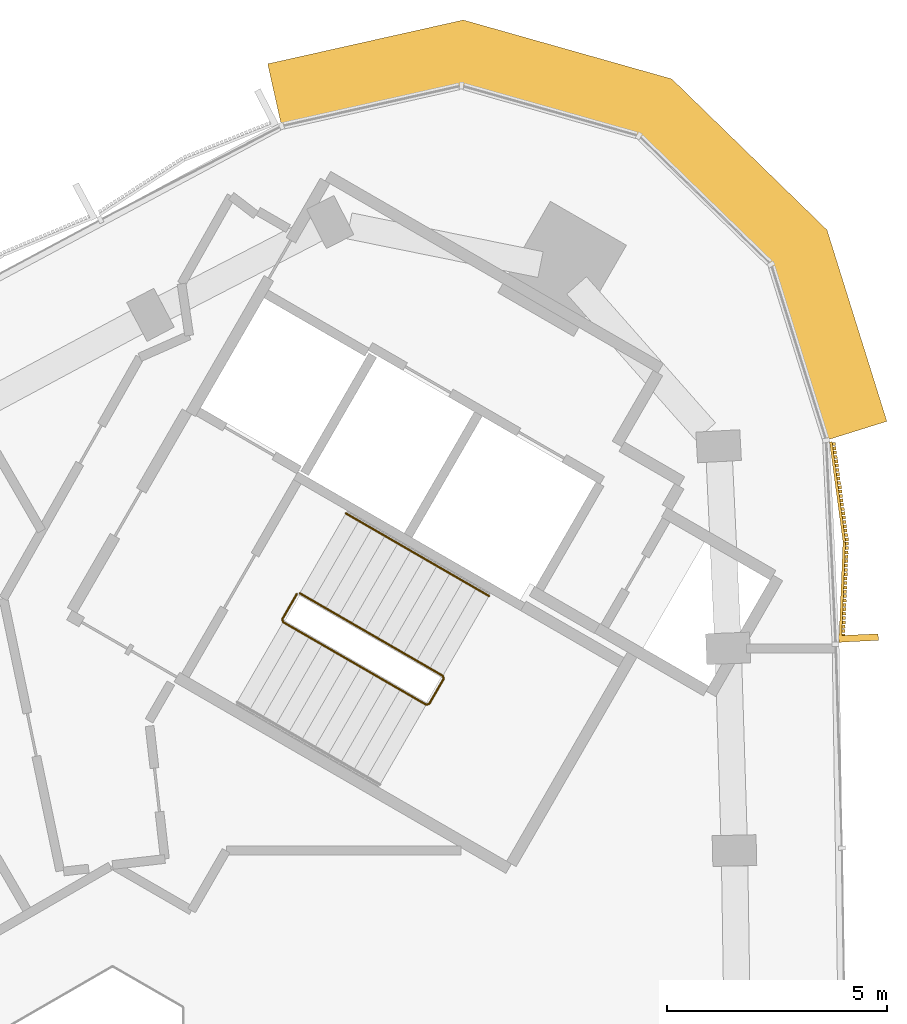
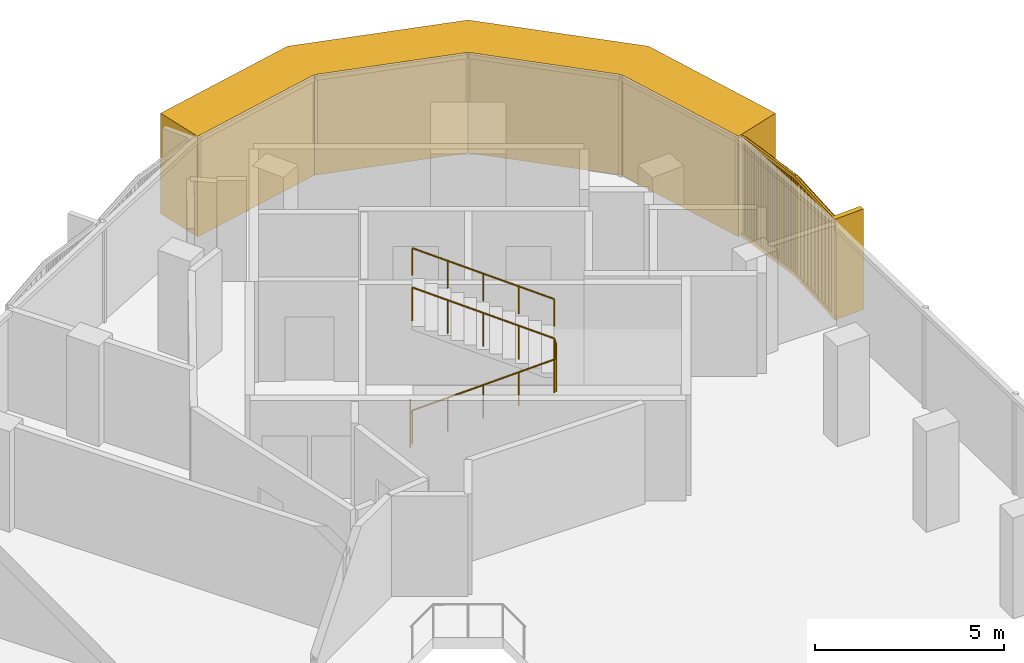
# One storey, part 12 of 12: 2 coverings, 2 railings.
"""IFC4 building model written with IfcOpenShell, lengths in metres."""

from ifc_helpers import new_model, si_unit, direction, frame, frame_2d, origin, origin_2d, place, context, subcontext, project, spatial, polyline, rectangle, circle, outline, extrude, source, transform, mapped, material, layer, layer_set, type_object, element, save


model = new_model("IFC4")

# Units and contexts
model_context = context("Model", 3, precision=1e-05, world=origin(), true_north=direction((0.0, 1.0)))
body_context = subcontext(model_context, "Body", "Model", "MODEL_VIEW")
ifc_project = project(units=[si_unit("LENGTHUNIT", "METRE"), si_unit("AREAUNIT", "SQUARE_METRE"), si_unit("VOLUMEUNIT", "CUBIC_METRE"), si_unit("PLANEANGLEUNIT", "RADIAN"), si_unit("MASSUNIT", "GRAM", prefix="KILO")], contexts=[model_context])

# Site, building, storey
site_placement = place(None, origin())
site = spatial("IfcSite", under=ifc_project, at=site_placement, CompositionType="ELEMENT")
building_placement = place(site_placement, origin())
building = spatial("IfcBuilding", under=site, at=building_placement, Name="Tamra Quay Hotel Tower", CompositionType="ELEMENT")
storey_placement = place(building_placement, frame((0.0, 0.0, 280.199951171875)))
storey = spatial("IfcBuildingStorey", under=building, at=storey_placement, Name="L71", CompositionType="ELEMENT", Elevation=280.199951171875)

# Covering
ifc_material_1 = material(Name="Precast concrete M60 terracotta-coloured", Category="masonry")
ifc_layer = layer(ifc_material_1, 1.449951171875)
ifc_layer_set = layer_set([ifc_layer], Name="CORNER PIER PANEL")
covering_type_1 = type_object("IfcCoveringType", Name="CORNER PIER PANEL", PredefinedType="CLADDING", material=ifc_layer_set)
covering_1_placement = place(storey_placement, origin())
element("IfcCovering", 1, at=covering_1_placement, inside=storey, type_object=covering_type_1, Name="Corner pier L71.east", PredefinedType="CLADDING", context=body_context, shape_type="SweptSolid", body=[
    extrude(outline(polyline([(17.648681640625, 16.25146484375), (19.03271484375, 16.68408203125), (17.67041015625, 21.0419921875), (14.134521484375, 24.481689453125), (9.3876953125, 25.823974609375), (4.9326171875, 24.824951171875), (5.249755859375, 23.409912109375), (9.346435546875, 24.32861328125), (13.38671875, 23.186279296875), (16.39599609375, 20.2587890625), (17.648681640625, 16.25146484375)])), origin(), (0.0, 0.0, 1.0), 3.25),
])

# Railings
ifc_material_2 = material(Name="Stair guard 1100")
railing_type_1 = type_object("IfcRailingType", Name="Stair guard 1100", PredefinedType="GUARDRAIL", material=ifc_material_2)
railing_1_placement = place(storey_placement, frame((5.595458984375, 12.751953125, 0.0)))
element("IfcRailing", 2, at=railing_1_placement, inside=storey, type_object=railing_type_1, Name="GR", PredefinedType="GUARDRAIL", context=body_context, shape_type="SweptSolid", body=[
    extrude(circle(Radius=0.02392578125, at=origin_2d()), frame((0.0, 0.0, 1.076171875), z_axis=(-0.499765215335, -0.866160914346, 0.0), x_axis=(0.866160914346, -0.499765215335, 0.0)), (0.0, 0.0, 1.0), 0.658935546875),
    extrude(circle(Radius=0.02392578125, at=origin_2d()), frame((-0.329345703125, -0.57080078125, 1.076171875), z_axis=(0.110378772244, -0.410609032747, 0.905105932399), x_axis=(0.965715946433, 0.259601060869, 0.0)), (0.0, 0.0, 1.0), 0.165771484375),
    extrude(circle(Radius=0.02392578125, at=origin_2d()), frame((-0.31103515625, -0.638916015625, 1.22607421875), z_axis=(0.793078462799, -0.457933869594, 0.401650498471), x_axis=(0.500040788363, 0.866001853331, 0.0)), (0.0, 0.0, 1.0), 4.10791015625),
    extrude(circle(Radius=0.02392578125, at=origin_2d()), frame((2.94677734375, -2.52001953125, 2.8759765625), z_axis=(0.965948051503, 0.258736085224, 0.0), x_axis=(-0.258736085224, 0.965948051503, 0.0)), (0.0, 0.0, 1.0), 0.07080078125),
    extrude(circle(Radius=0.02392578125, at=origin_2d()), frame((3.01513671875, -2.501708984375, 2.8759765625), z_axis=(0.500043078269, 0.866000531106, 0.0), x_axis=(-0.866000531106, 0.500043078269, 0.0)), (0.0, 0.0, 1.0), 0.6591796875),
    extrude(circle(Radius=0.02392578125, at=origin_2d()), frame((3.3447265625, -1.930908203125, 2.8759765625), z_axis=(-0.110525977783, 0.411156637351, 0.904839338113), x_axis=(-0.965715946433, -0.259601060869, 0.0)), (0.0, 0.0, 1.0), 0.165771484375),
    extrude(circle(Radius=0.02392578125, at=origin_2d()), frame((3.326416015625, -1.86279296875, 3.02587890625), z_axis=(-0.793081581205, 0.457901355053, 0.401681409319), x_axis=(-0.500012686397, -0.866018079166, 0.0)), (0.0, 0.0, 1.0), 4.108154296875),
    extrude(circle(Radius=0.02099609375, at=origin_2d()), origin(), (0.0, 0.0, 1.0), 1.052001953125),
    extrude(circle(Radius=0.02099609375, at=origin_2d()), frame((-0.329345703125, -0.57080078125, 0.0)), (0.0, 0.0, 1.0), 1.052001953125),
    extrude(circle(Radius=0.02099609375, at=origin_2d()), frame((-0.31103515625, -0.638916015625, 0.150146484375)), (0.0, 0.0, 1.0), 1.052001953125),
    extrude(circle(Radius=0.02099609375, at=origin_2d()), frame((0.50341796875, -1.109130859375, 0.5625)), (0.0, 0.0, 1.0), 1.052001953125),
    extrude(circle(Radius=0.02099609375, at=origin_2d()), frame((1.31787109375, -1.57958984375, 0.97509765625)), (0.0, 0.0, 1.0), 1.052001953125),
    extrude(circle(Radius=0.02099609375, at=origin_2d()), frame((2.13232421875, -2.0498046875, 1.3876953125)), (0.0, 0.0, 1.0), 1.052001953125),
    extrude(circle(Radius=0.02099609375, at=origin_2d()), frame((2.94677734375, -2.52001953125, 1.800048828125)), (0.0, 0.0, 1.0), 1.052001953125),
    extrude(circle(Radius=0.02099609375, at=origin_2d()), frame((3.01513671875, -2.501708984375, 1.800048828125)), (0.0, 0.0, 1.0), 1.052001953125),
    extrude(circle(Radius=0.02099609375, at=origin_2d()), frame((3.3447265625, -1.930908203125, 1.800048828125)), (0.0, 0.0, 1.0), 1.052001953125),
    extrude(circle(Radius=0.02099609375, at=origin_2d()), frame((3.326416015625, -1.86279296875, 1.949951171875)), (0.0, 0.0, 1.0), 1.052001953125),
    extrude(circle(Radius=0.02099609375, at=origin_2d()), frame((2.511962890625, -1.392578125, 2.362548828125)), (0.0, 0.0, 1.0), 1.052001953125),
    extrude(circle(Radius=0.02099609375, at=origin_2d()), frame((1.697265625, -0.92236328125, 2.77490234375)), (0.0, 0.0, 1.0), 1.052001953125),
    extrude(circle(Radius=0.02099609375, at=origin_2d()), frame((0.8828125, -0.451904296875, 3.1875)), (0.0, 0.0, 1.0), 1.052001953125),
    extrude(circle(Radius=0.02099609375, at=origin_2d()), frame((0.068359375, 0.018310546875, 3.60009765625)), (0.0, 0.0, 1.0), 1.052001953125),
])
ifc_material_3 = material(Name="Stair handrail 900")
railing_type_2 = type_object("IfcRailingType", Name="Stair handrail 900", PredefinedType="HANDRAIL", material=ifc_material_3)
railing_2_placement = place(storey_placement, frame((9.971923828125, 12.7080078125, 1.949951171875)))
element("IfcRailing", 3, at=railing_2_placement, inside=storey, type_object=railing_type_2, Name="HR", PredefinedType="HANDRAIL", context=body_context, shape_type="SweptSolid", body=[
    extrude(circle(Radius=0.02392578125, at=origin_2d()), frame((0.0, 0.0, 0.8759765625), z_axis=(-0.793103162556, 0.457854384738, 0.401692339881), x_axis=(-0.499964013922, -0.86604617936, 0.0)), (0.0, 0.0, 1.0), 4.10791015625),
    extrude(circle(Radius=0.02099609375, at=origin_2d()), origin(), (0.0, 0.0, 1.0), 0.851806640625),
    extrude(circle(Radius=0.02099609375, at=origin_2d()), frame((-0.814453125, 0.47021484375, 0.41259765625)), (0.0, 0.0, 1.0), 0.851806640625),
    extrude(circle(Radius=0.02099609375, at=origin_2d()), frame((-1.62890625, 0.9404296875, 0.8251953125)), (0.0, 0.0, 1.0), 0.851806640625),
    extrude(circle(Radius=0.02099609375, at=origin_2d()), frame((-2.443603515625, 1.41064453125, 1.237548828125)), (0.0, 0.0, 1.0), 0.851806640625),
    extrude(circle(Radius=0.02099609375, at=origin_2d()), frame((-3.258056640625, 1.880859375, 1.650146484375)), (0.0, 0.0, 1.0), 0.851806640625),
])

# Covering
ifc_material_4 = material(Name="Terracotta baguette extruded", Category="masonry")
covering_type_2 = type_object("IfcCoveringType", Name="BAGUETTE SCREEN E-V H3250", PredefinedType="USERDEFINED", material=ifc_material_4)
shared_shape = source(origin(), body_context, "Body", "SweptSolid", [
    extrude(rectangle(XDim=2.291259765625, YDim=0.06005859375, at=frame_2d((1.1455078125, 0.030029296875))), frame((-2.287841796875, -0.057861328125, -0.1201171875), z_axis=(0.0, 0.0, 1.0), x_axis=(0.996194698092, -0.087155742748, 0.0)), (0.0, 0.0, 1.0), 0.1201171875),
    extrude(rectangle(XDim=2.291259765625, YDim=0.06005859375, at=frame_2d((1.1455078125, 0.030029296875))), frame((-2.287841796875, -0.057861328125, -3.25), z_axis=(0.0, 0.0, 1.0), x_axis=(0.996194698092, -0.087155742748, 0.0)), (0.0, 0.0, 1.0), 0.1201171875),
    extrude(rectangle(XDim=0.070068359375, YDim=0.10009765625, at=frame_2d((0.03515625, 0.050048828125))), frame((-2.267822265625, -0.13232421875, -3.18994140625)), (0.0, 0.0, 1.0), 3.1298828125),
    extrude(rectangle(XDim=0.070068359375, YDim=0.10009765625, at=frame_2d((0.03515625, 0.050048828125))), frame((-2.168701171875, -0.14111328125, -3.18994140625)), (0.0, 0.0, 1.0), 3.1298828125),
    extrude(rectangle(XDim=0.070068359375, YDim=0.10009765625, at=frame_2d((0.03515625, 0.050048828125))), frame((-2.0693359375, -0.149658203125, -3.18994140625)), (0.0, 0.0, 1.0), 3.1298828125),
    extrude(rectangle(XDim=0.070068359375, YDim=0.10009765625, at=frame_2d((0.03515625, 0.050048828125))), frame((-1.97021484375, -0.158447265625, -3.18994140625)), (0.0, 0.0, 1.0), 3.1298828125),
    extrude(rectangle(XDim=0.070068359375, YDim=0.10009765625, at=frame_2d((0.03515625, 0.050048828125))), frame((-1.870849609375, -0.1669921875, -3.18994140625)), (0.0, 0.0, 1.0), 3.1298828125),
    extrude(rectangle(XDim=0.070068359375, YDim=0.10009765625, at=frame_2d((0.03515625, 0.050048828125))), frame((-1.771728515625, -0.17578125, -3.18994140625)), (0.0, 0.0, 1.0), 3.1298828125),
    extrude(rectangle(XDim=0.070068359375, YDim=0.10009765625, at=frame_2d((0.03515625, 0.050048828125))), frame((-1.67236328125, -0.184326171875, -3.18994140625)), (0.0, 0.0, 1.0), 3.1298828125),
    extrude(rectangle(XDim=0.070068359375, YDim=0.10009765625, at=frame_2d((0.03515625, 0.050048828125))), frame((-1.5732421875, -0.193115234375, -3.18994140625)), (0.0, 0.0, 1.0), 3.1298828125),
    extrude(rectangle(XDim=0.070068359375, YDim=0.10009765625, at=frame_2d((0.03515625, 0.050048828125))), frame((-1.473876953125, -0.201904296875, -3.18994140625)), (0.0, 0.0, 1.0), 3.1298828125),
    extrude(rectangle(XDim=0.070068359375, YDim=0.10009765625, at=frame_2d((0.03515625, 0.050048828125))), frame((-1.374755859375, -0.21044921875, -3.18994140625)), (0.0, 0.0, 1.0), 3.1298828125),
    extrude(rectangle(XDim=0.070068359375, YDim=0.10009765625, at=frame_2d((0.03515625, 0.050048828125))), frame((-1.275390625, -0.21923828125, -3.18994140625)), (0.0, 0.0, 1.0), 3.1298828125),
    extrude(rectangle(XDim=0.070068359375, YDim=0.10009765625, at=frame_2d((0.03515625, 0.050048828125))), frame((-1.17626953125, -0.227783203125, -3.18994140625)), (0.0, 0.0, 1.0), 3.1298828125),
    extrude(rectangle(XDim=0.070068359375, YDim=0.10009765625, at=frame_2d((0.03515625, 0.050048828125))), frame((-1.076904296875, -0.236572265625, -3.18994140625)), (0.0, 0.0, 1.0), 3.1298828125),
    extrude(rectangle(XDim=0.070068359375, YDim=0.10009765625, at=frame_2d((0.03515625, 0.050048828125))), frame((-0.977783203125, -0.2451171875, -3.18994140625)), (0.0, 0.0, 1.0), 3.1298828125),
    extrude(rectangle(XDim=0.070068359375, YDim=0.10009765625, at=frame_2d((0.03515625, 0.050048828125))), frame((-0.87841796875, -0.25390625, -3.18994140625)), (0.0, 0.0, 1.0), 3.1298828125),
    extrude(rectangle(XDim=0.070068359375, YDim=0.10009765625, at=frame_2d((0.03515625, 0.050048828125))), frame((-0.779296875, -0.2626953125, -3.18994140625)), (0.0, 0.0, 1.0), 3.1298828125),
    extrude(rectangle(XDim=0.070068359375, YDim=0.10009765625, at=frame_2d((0.03515625, 0.050048828125))), frame((-0.679931640625, -0.271240234375, -3.18994140625)), (0.0, 0.0, 1.0), 3.1298828125),
    extrude(rectangle(XDim=0.070068359375, YDim=0.10009765625, at=frame_2d((0.03515625, 0.050048828125))), frame((-0.580810546875, -0.280029296875, -3.18994140625)), (0.0, 0.0, 1.0), 3.1298828125),
    extrude(rectangle(XDim=0.070068359375, YDim=0.10009765625, at=frame_2d((0.03515625, 0.050048828125))), frame((-0.481689453125, -0.28857421875, -3.18994140625)), (0.0, 0.0, 1.0), 3.1298828125),
    extrude(rectangle(XDim=0.070068359375, YDim=0.10009765625, at=frame_2d((0.03515625, 0.050048828125))), frame((-0.38232421875, -0.29736328125, -3.18994140625)), (0.0, 0.0, 1.0), 3.1298828125),
    extrude(rectangle(XDim=0.070068359375, YDim=0.10009765625, at=frame_2d((0.03515625, 0.050048828125))), frame((-0.283203125, -0.305908203125, -3.18994140625)), (0.0, 0.0, 1.0), 3.1298828125),
    extrude(rectangle(XDim=0.070068359375, YDim=0.10009765625, at=frame_2d((0.03515625, 0.050048828125))), frame((-0.183837890625, -0.314697265625, -3.18994140625)), (0.0, 0.0, 1.0), 3.1298828125),
    extrude(rectangle(XDim=0.070068359375, YDim=0.10009765625, at=frame_2d((0.03515625, 0.050048828125))), frame((-0.084716796875, -0.3232421875, -3.18994140625)), (0.0, 0.0, 1.0), 3.1298828125),
    extrude(rectangle(XDim=2.291259765625, YDim=0.06005859375, at=frame_2d((1.1455078125, 0.030029296875))), frame((0.005126953125, -0.257568359375, -0.1201171875), z_axis=(0.0, 0.0, 1.0), x_axis=(0.996194698092, 0.087155742748, 0.0)), (0.0, 0.0, 1.0), 0.1201171875),
    extrude(rectangle(XDim=2.291259765625, YDim=0.06005859375, at=frame_2d((1.1455078125, 0.030029296875))), frame((0.005126953125, -0.257568359375, -3.25), z_axis=(0.0, 0.0, 1.0), x_axis=(0.996194698092, 0.087155742748, 0.0)), (0.0, 0.0, 1.0), 0.1201171875),
    extrude(rectangle(XDim=0.070068359375, YDim=0.10009765625, at=frame_2d((0.03515625, 0.050048828125))), frame((0.0146484375, -0.3232421875, -3.18994140625)), (0.0, 0.0, 1.0), 3.1298828125),
    extrude(rectangle(XDim=0.070068359375, YDim=0.10009765625, at=frame_2d((0.03515625, 0.050048828125))), frame((0.11376953125, -0.314697265625, -3.18994140625)), (0.0, 0.0, 1.0), 3.1298828125),
    extrude(rectangle(XDim=0.070068359375, YDim=0.10009765625, at=frame_2d((0.03515625, 0.050048828125))), frame((0.213134765625, -0.305908203125, -3.18994140625)), (0.0, 0.0, 1.0), 3.1298828125),
    extrude(rectangle(XDim=0.070068359375, YDim=0.10009765625, at=frame_2d((0.03515625, 0.050048828125))), frame((0.312255859375, -0.29736328125, -3.18994140625)), (0.0, 0.0, 1.0), 3.1298828125),
    extrude(rectangle(XDim=0.070068359375, YDim=0.10009765625, at=frame_2d((0.03515625, 0.050048828125))), frame((0.41162109375, -0.28857421875, -3.18994140625)), (0.0, 0.0, 1.0), 3.1298828125),
    extrude(rectangle(XDim=0.070068359375, YDim=0.10009765625, at=frame_2d((0.03515625, 0.050048828125))), frame((0.5107421875, -0.280029296875, -3.18994140625)), (0.0, 0.0, 1.0), 3.1298828125),
    extrude(rectangle(XDim=0.070068359375, YDim=0.10009765625, at=frame_2d((0.03515625, 0.050048828125))), frame((0.610107421875, -0.271240234375, -3.18994140625)), (0.0, 0.0, 1.0), 3.1298828125),
    extrude(rectangle(XDim=0.070068359375, YDim=0.10009765625, at=frame_2d((0.03515625, 0.050048828125))), frame((0.709228515625, -0.2626953125, -3.18994140625)), (0.0, 0.0, 1.0), 3.1298828125),
    extrude(rectangle(XDim=0.070068359375, YDim=0.10009765625, at=frame_2d((0.03515625, 0.050048828125))), frame((0.80859375, -0.25390625, -3.18994140625)), (0.0, 0.0, 1.0), 3.1298828125),
    extrude(rectangle(XDim=0.070068359375, YDim=0.10009765625, at=frame_2d((0.03515625, 0.050048828125))), frame((0.90771484375, -0.2451171875, -3.18994140625)), (0.0, 0.0, 1.0), 3.1298828125),
    extrude(rectangle(XDim=0.070068359375, YDim=0.10009765625, at=frame_2d((0.03515625, 0.050048828125))), frame((1.007080078125, -0.236572265625, -3.18994140625)), (0.0, 0.0, 1.0), 3.1298828125),
    extrude(rectangle(XDim=0.070068359375, YDim=0.10009765625, at=frame_2d((0.03515625, 0.050048828125))), frame((1.106201171875, -0.227783203125, -3.18994140625)), (0.0, 0.0, 1.0), 3.1298828125),
    extrude(rectangle(XDim=0.070068359375, YDim=0.10009765625, at=frame_2d((0.03515625, 0.050048828125))), frame((1.20556640625, -0.21923828125, -3.18994140625)), (0.0, 0.0, 1.0), 3.1298828125),
    extrude(rectangle(XDim=0.070068359375, YDim=0.10009765625, at=frame_2d((0.03515625, 0.050048828125))), frame((1.3046875, -0.21044921875, -3.18994140625)), (0.0, 0.0, 1.0), 3.1298828125),
    extrude(rectangle(XDim=0.070068359375, YDim=0.10009765625, at=frame_2d((0.03515625, 0.050048828125))), frame((1.404052734375, -0.201904296875, -3.18994140625)), (0.0, 0.0, 1.0), 3.1298828125),
    extrude(rectangle(XDim=0.070068359375, YDim=0.10009765625, at=frame_2d((0.03515625, 0.050048828125))), frame((1.503173828125, -0.193115234375, -3.18994140625)), (0.0, 0.0, 1.0), 3.1298828125),
    extrude(rectangle(XDim=0.070068359375, YDim=0.10009765625, at=frame_2d((0.03515625, 0.050048828125))), frame((1.6025390625, -0.184326171875, -3.18994140625)), (0.0, 0.0, 1.0), 3.1298828125),
    extrude(rectangle(XDim=0.070068359375, YDim=0.10009765625, at=frame_2d((0.03515625, 0.050048828125))), frame((1.70166015625, -0.17578125, -3.18994140625)), (0.0, 0.0, 1.0), 3.1298828125),
    extrude(rectangle(XDim=0.070068359375, YDim=0.10009765625, at=frame_2d((0.03515625, 0.050048828125))), frame((1.801025390625, -0.1669921875, -3.18994140625)), (0.0, 0.0, 1.0), 3.1298828125),
    extrude(rectangle(XDim=0.070068359375, YDim=0.10009765625, at=frame_2d((0.03515625, 0.050048828125))), frame((1.900146484375, -0.158447265625, -3.18994140625)), (0.0, 0.0, 1.0), 3.1298828125),
    extrude(rectangle(XDim=0.070068359375, YDim=0.10009765625, at=frame_2d((0.03515625, 0.050048828125))), frame((1.99951171875, -0.149658203125, -3.18994140625)), (0.0, 0.0, 1.0), 3.1298828125),
    extrude(rectangle(XDim=0.070068359375, YDim=0.10009765625, at=frame_2d((0.03515625, 0.050048828125))), frame((2.0986328125, -0.14111328125, -3.18994140625)), (0.0, 0.0, 1.0), 3.1298828125),
    extrude(rectangle(XDim=0.070068359375, YDim=0.10009765625, at=frame_2d((0.03515625, 0.050048828125))), frame((2.197998046875, -0.13232421875, -3.18994140625)), (0.0, 0.0, 1.0), 3.1298828125),
    extrude(rectangle(XDim=0.14990234375, YDim=0.902099609375, at=frame_2d((0.074951171875, 0.451171875))), frame((-2.282470703125, -0.89990234375, -3.25)), (0.0, 0.0, 1.0), 3.25),
])
covering_2_placement = place(storey_placement, frame((17.83544921875, 13.934326171875, 3.25), z_axis=(0.0, 0.0, 1.0), x_axis=(-0.046821223335, 0.998903285131, 0.0)))
element("IfcCovering", 4, at=covering_2_placement, inside=storey, type_object=covering_type_2, Name="Baguette screen L71.E.f06", ObjectType="BAGUETTE SCREEN", PredefinedType="USERDEFINED", context=body_context, shape_type="MappedRepresentation", body=[
    mapped(shared_shape, transform((0.0, 0.0, 0.0), scale=1.0)),
])

save(model, "model.ifc")
